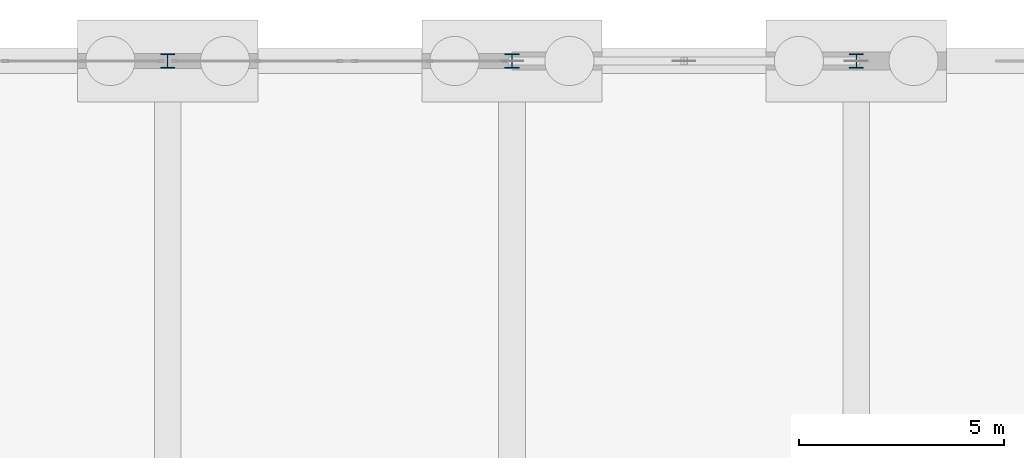
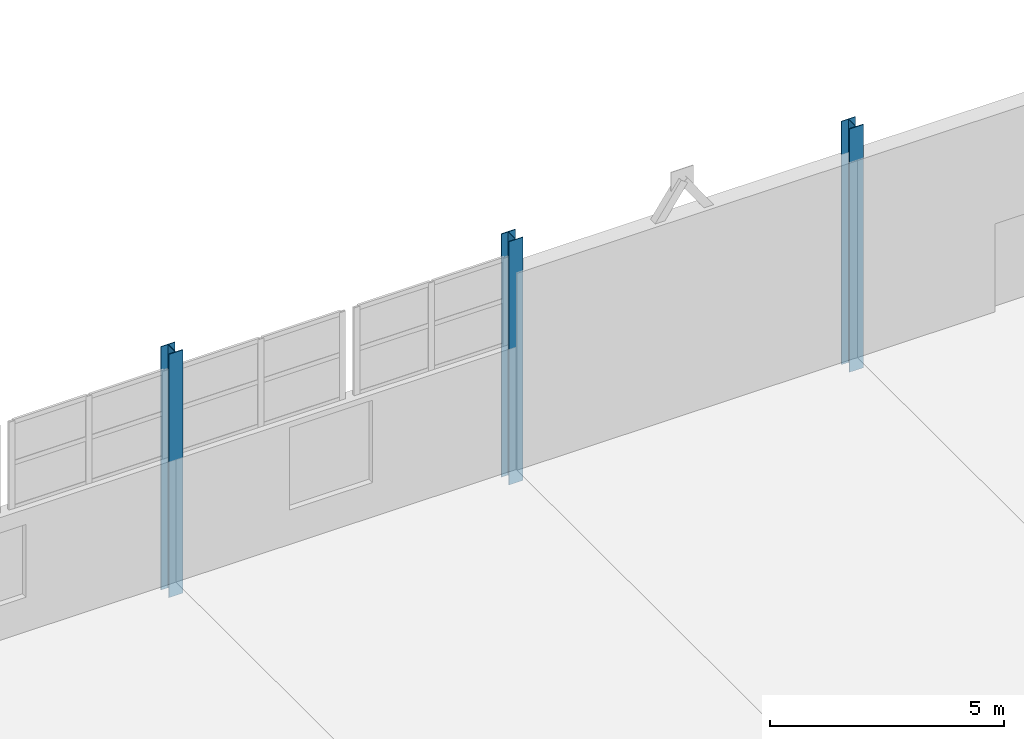
# One storey, part 51 of 139: 3 columns.
"""IFC4 building model written with IfcOpenShell, lengths in metres."""

import ifcopenshell
import ifcopenshell.guid

model = None  # the IFC model being written
_history = None  # IfcOwnerHistory: only IFC2X3 demands one
_inside = {}  # id of a spatial element -> (the spatial element, [elements in it])
_under = {}  # id of a project, library or spatial element -> (it, [spatial elements below it])
_declared = {}  # id of a project -> (the project, [libraries it declares])
_typed = {}  # id of a type object -> (the type object, [elements of that type])
_made_of = {}  # id of a material, layer set ... -> (it, [elements and type objects made of it])


def new_model(schema):
    """Start an empty IFC model of exactly this schema.

    Asked for "IFC4X3", IfcOpenShell would pick the latest addendum, in which some entities
    have other attributes; the version numbers below select the first issue.
    IFC2X3 requires an IfcOwnerHistory on every rooted entity: one is made here for all.
    """
    global model, _history
    if schema == "IFC4X3":
        model = ifcopenshell.file(schema_version=(4, 3, 0, 0))
    else:
        model = ifcopenshell.file(schema=schema)
    _inside.clear()
    _under.clear()
    _declared.clear()
    _typed.clear()
    _made_of.clear()
    _history = None
    if model.schema == "IFC2X3":
        org = make("IfcOrganization", Name="unknown")
        user = make(
            "IfcPersonAndOrganization",
            ThePerson=make("IfcPerson", FamilyName="unknown"),
            TheOrganization=org,
        )
        app = make(
            "IfcApplication",
            ApplicationDeveloper=org,
            Version="unknown",
            ApplicationFullName="unknown",
            ApplicationIdentifier="unknown",
        )
        _history = make(
            "IfcOwnerHistory",
            OwningUser=user,
            OwningApplication=app,
            ChangeAction="ADDED",
            CreationDate=0,
        )
    return model


def make(cls, **values):
    """One entity of the class cls with the attributes given. An attribute that is None is left unset."""
    return model.create_entity(
        cls, **{name: value for name, value in values.items() if value is not None}
    )


def rooted(cls, **values):
    """An entity with a GlobalId (a new one), such as an element, a storey or a relation."""
    return make(cls, GlobalId=ifcopenshell.guid.new(), OwnerHistory=_history, **values)


def si_unit(unit_type, name, prefix=None):
    """IfcSIUnit, for example si_unit("LENGTHUNIT", "METRE", prefix="MILLI")."""
    return make("IfcSIUnit", UnitType=unit_type, Prefix=prefix, Name=name)


def assignment(units):
    """IfcUnitAssignment: the units of a project."""
    return None if units is None else make("IfcUnitAssignment", Units=units)


def point(xyz):
    """IfcCartesianPoint."""
    return None if xyz is None else make("IfcCartesianPoint", Coordinates=xyz)


def direction(xyz):
    """IfcDirection."""
    return None if xyz is None else make("IfcDirection", DirectionRatios=xyz)


def frame(location, z_axis=None, x_axis=None):
    """IfcAxis2Placement3D, a coordinate frame: its origin and axes. An axis left out is left unset."""
    return make(
        "IfcAxis2Placement3D",
        Location=point(location),
        Axis=direction(z_axis),
        RefDirection=direction(x_axis),
    )


def frame_2d(location, x_axis=None):
    """IfcAxis2Placement2D, a coordinate frame in the plane: its origin and x axis."""
    return make(
        "IfcAxis2Placement2D", Location=point(location), RefDirection=direction(x_axis)
    )


def origin():
    """The frame at (0, 0, 0) with its axes left unset."""
    return frame((0.0, 0.0, 0.0))


def origin_2d():
    """The frame at (0, 0) in the plane with its x axis left unset."""
    return frame_2d((0.0, 0.0))


def place(relative_to, where):
    """IfcLocalPlacement: puts the frame where relative to a parent placement (None: the world)."""
    return make(
        "IfcLocalPlacement", PlacementRelTo=relative_to, RelativePlacement=where
    )


def context(
    kind, dimensions, precision=None, world=None, true_north=None, identifier=None
):
    """IfcGeometricRepresentationContext, for example the 3D "Model" context."""
    return make(
        "IfcGeometricRepresentationContext",
        ContextIdentifier=identifier,
        ContextType=kind,
        CoordinateSpaceDimension=dimensions,
        Precision=precision,
        WorldCoordinateSystem=world,
        TrueNorth=true_north,
    )


def subcontext(parent, identifier, kind, view, scale=None):
    """IfcGeometricRepresentationSubContext, for example "Body" below "Model"."""
    return make(
        "IfcGeometricRepresentationSubContext",
        ContextIdentifier=identifier,
        ContextType=kind,
        ParentContext=parent,
        TargetScale=scale,
        TargetView=view,
    )


def project(units=None, contexts=None):
    """IfcProject with its units and contexts."""
    return rooted(
        "IfcProject",
        Name="project",
        RepresentationContexts=contexts,
        UnitsInContext=assignment(units),
    )


def spatial(cls, under=None, at=None, **own):
    """A site, building, storey or space (cls), placed at a placement, below another one or the project."""
    s = rooted(cls, ObjectPlacement=at, **own)
    if under is not None:
        _under.setdefault(under.id(), (under, []))[1].append(s)
    return s


def profile(cls, at=None, kind="AREA", **sizes):
    """A parametric profile (cls). Its sizes go by their IFC names, for example OverallWidth=200.0."""
    return make(cls, ProfileType=kind, Position=at, **sizes)


def i_section(**sizes):
    """IfcIShapeProfileDef."""
    return profile("IfcIShapeProfileDef", **sizes)


def extrude(swept, where, along, depth):
    """IfcExtrudedAreaSolid: the profile swept, set in the frame where, extruded along a direction by depth."""
    return make(
        "IfcExtrudedAreaSolid",
        SweptArea=swept,
        Position=where,
        ExtrudedDirection=direction(along),
        Depth=depth,
    )


def shape(context_of_items, identifier, shape_type, items):
    """IfcShapeRepresentation: the items that make up one representation, for example the "Body"."""
    return make(
        "IfcShapeRepresentation",
        ContextOfItems=context_of_items,
        RepresentationIdentifier=identifier,
        RepresentationType=shape_type,
        Items=items,
    )


def material(Name=None, Category=None):
    """IfcMaterial."""
    return make("IfcMaterial", Name=Name, Category=Category)


def material_profile(
    of_material, cross_section, Name=None, Category=None, Priority=None
):
    """IfcMaterialProfile: a cross section and its material."""
    return make(
        "IfcMaterialProfile",
        Name=Name,
        Material=of_material,
        Profile=cross_section,
        Priority=Priority,
        Category=Category,
    )


def profile_set(profiles, Name=None, composite=None):
    """IfcMaterialProfileSet."""
    return make(
        "IfcMaterialProfileSet",
        Name=Name,
        MaterialProfiles=profiles,
        CompositeProfile=composite,
    )


def made_of(thing, what):
    """Note that an element or type object is made of a material, layer set ...; save() writes the relation."""
    if what is not None:
        _made_of.setdefault(what.id(), (what, []))[1].append(thing)
    return thing


def type_object(cls, material=None, **own):
    """A type object (cls), such as IfcWallType, which elements share."""
    return made_of(rooted(cls, **own), material)


def element(
    cls,
    number,
    at=None,
    inside=None,
    cuts=None,
    type_object=None,
    material=None,
    context=None,
    identifier="Body",
    shape_type=None,
    held_by="IfcProductDefinitionShape",
    body=None,
    shapes=None,
    **own,
):
    """One element of the class cls, such as IfcWall. Its Tag is "e" and its number.

    at: its placement. inside: the storey or other place that contains it. cuts: it is an
    opening in that element (IfcRelVoidsElement). A single representation is given by context,
    identifier, shape_type and body (its items); several are given by shapes. held_by: the class
    of the entity that holds the representations. save() writes the other relations.
    """
    e = rooted(cls, Tag="e%d" % number, ObjectPlacement=at, **own)
    if body is not None:
        shapes = [shape(context, identifier, shape_type, body)]
    if shapes is not None:
        e.Representation = make(held_by, Representations=shapes)
    if inside is not None:
        _inside.setdefault(inside.id(), (inside, []))[1].append(e)
    if cuts is not None:
        rooted(
            "IfcRelVoidsElement", RelatingBuildingElement=cuts, RelatedOpeningElement=e
        )
    if type_object is not None:
        _typed.setdefault(type_object.id(), (type_object, []))[1].append(e)
    return made_of(e, material)


def aggregate(whole, parts):
    """IfcRelAggregates: a whole, such as a stair, and the parts it consists of."""
    return rooted("IfcRelAggregates", RelatingObject=whole, RelatedObjects=parts)


def save(model, path):
    """Write the relations noted so far, then the file.

    IfcRelAggregates (storeys below a building ...), IfcRelContainedInSpatialStructure (elements
    in a storey), IfcRelDefinesByType, IfcRelAssociatesMaterial and IfcRelDeclares: one each for
    every whole, place, type object, material and project.
    """
    for whole, parts in _under.values():
        aggregate(whole, parts)
    for where, things in _inside.values():
        rooted(
            "IfcRelContainedInSpatialStructure",
            RelatedElements=things,
            RelatingStructure=where,
        )
    for kind, things in _typed.values():
        rooted("IfcRelDefinesByType", RelatedObjects=things, RelatingType=kind)
    for what, things in _made_of.values():
        rooted("IfcRelAssociatesMaterial", RelatedObjects=things, RelatingMaterial=what)
    for by, libraries in _declared.values():
        rooted("IfcRelDeclares", RelatingContext=by, RelatedDefinitions=libraries)
    model.write(path)


model = new_model("IFC4")

# Units and contexts
model_context = context("Model", 3, precision=1e-05, world=origin(), true_north=direction((0.0, 1.0)))
body_context = subcontext(model_context, "Body", "Model", "MODEL_VIEW")
ifc_project = project(units=[si_unit("LENGTHUNIT", "METRE"), si_unit("AREAUNIT", "SQUARE_METRE"), si_unit("VOLUMEUNIT", "CUBIC_METRE"), si_unit("PLANEANGLEUNIT", "RADIAN"), si_unit("MASSUNIT", "GRAM", prefix="KILO")], contexts=[model_context])

# Site, building, storey
site_placement = place(None, origin())
site = spatial("IfcSite", under=ifc_project, at=site_placement, CompositionType="ELEMENT")
building_placement = place(site_placement, origin())
building = spatial("IfcBuilding", under=site, at=building_placement, Name="Kazenagashi Tramway Depot", CompositionType="ELEMENT")
storey_placement = place(building_placement, origin())
storey = spatial("IfcBuildingStorey", under=building, at=storey_placement, Name="L01", CompositionType="ELEMENT", Elevation=0.0)

# Columns
ifc_material = material(Name="Steel SN490B", Category="steel")
ifc_material_profile = material_profile(ifc_material, i_section(OverallWidth=0.35, OverallDepth=0.35, WebThickness=0.012, FlangeThickness=0.019, at=origin_2d()), Name="H-350x350x12x19")
ifc_profile_set = profile_set([ifc_material_profile], Name="Steel SN490B")
column_type = type_object("IfcColumnType", Name="C-04", PredefinedType="COLUMN", material=ifc_profile_set)
for number, where, z_axis, x_axis, name in (
    (1, (170.8, 130.0, -0.35), (0.0, 0.0, 1.0), (1.0, 0.0, 0.0), "Column C-04 COL-0095"),
    (2, (179.2, 130.0, -0.35), (0.0, 0.0, 1.0), (1.0, 0.0, 0.0), "Column C-04 COL-0101"),
    (3, (187.6, 130.0, -0.35), (0.0, 0.0, 1.0), (1.0, 0.0, 0.0), "Column C-04 COL-0107"),
):
    element("IfcColumn", number, at=place(storey_placement, frame(where, z_axis=z_axis, x_axis=x_axis)), inside=storey, type_object=column_type, Name=name, PredefinedType="COLUMN", context=body_context, shape_type="SweptSolid", body=[
        extrude(i_section(OverallWidth=0.35, OverallDepth=0.35, WebThickness=0.012, FlangeThickness=0.019, at=origin_2d()), origin(), (0.0, 0.0, 1.0), 6.35),
    ])

save(model, "model.ifc")
